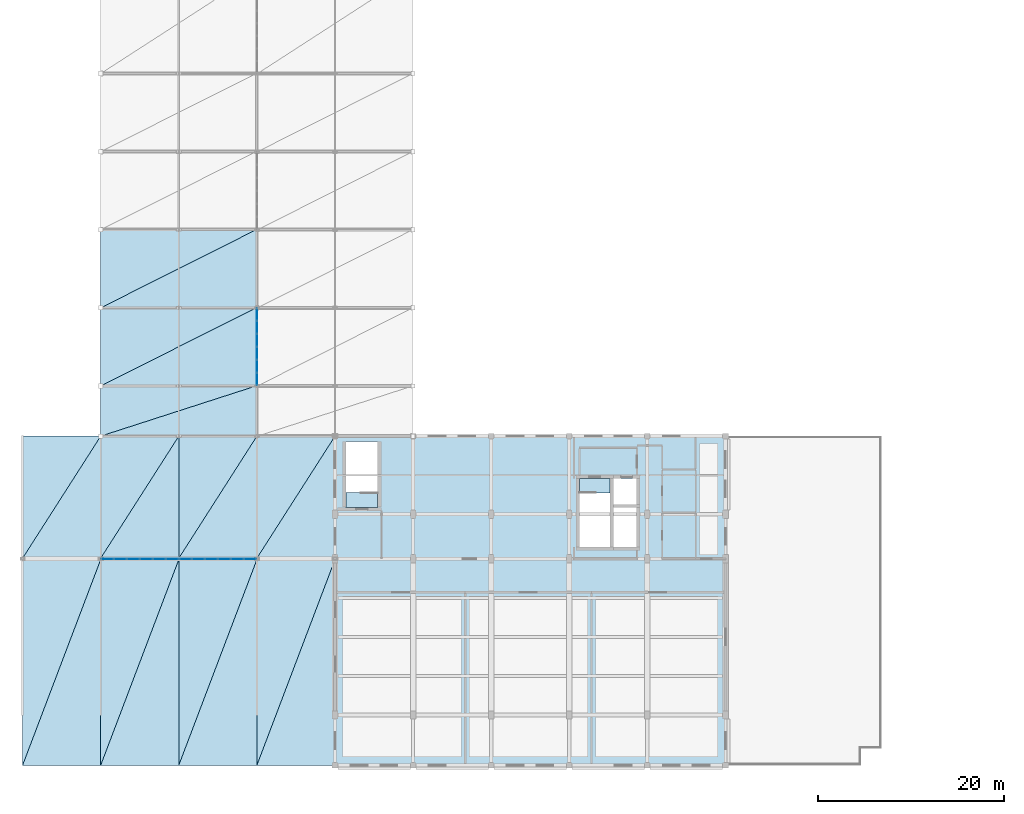
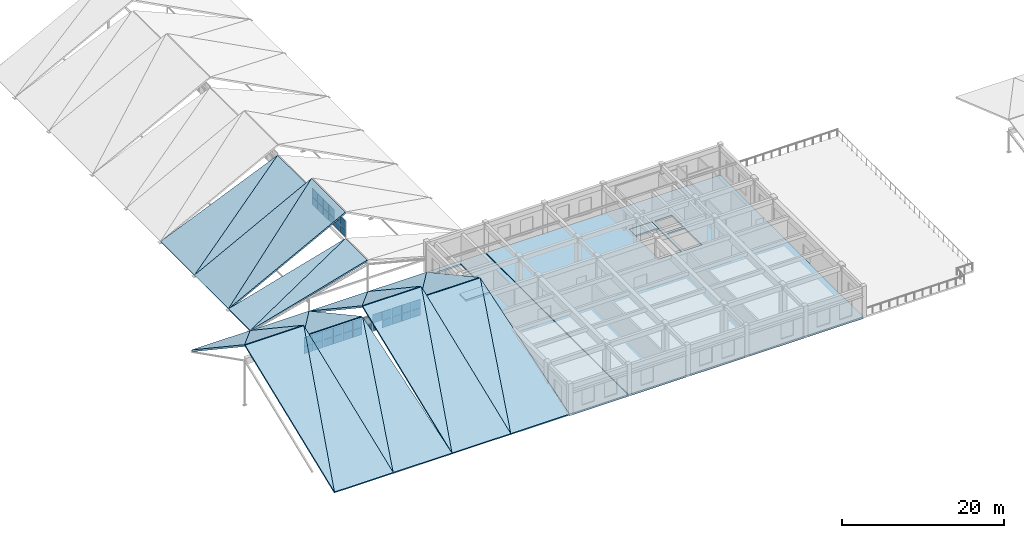
# One storey, part 54 of 76: 36 plates, 26 slabs, 3 elements without a shape of their own.
"""IFC4 building model written with IfcOpenShell, lengths in metres."""

from ifc_helpers import new_model, si_unit, direction, frame, origin, origin_2d, place, context, subcontext, project, spatial, polyline, rectangle, outline, extrude, material, layer, layer_set, type_object, element, aggregate, save


model = new_model("IFC4")

# Units and contexts
model_context = context("Model", 3, precision=1e-05, world=origin(), true_north=direction((0.0, 1.0)))
body_context = subcontext(model_context, "Body", "Model", "MODEL_VIEW")
ifc_project = project(units=[si_unit("LENGTHUNIT", "METRE"), si_unit("AREAUNIT", "SQUARE_METRE"), si_unit("VOLUMEUNIT", "CUBIC_METRE"), si_unit("PLANEANGLEUNIT", "RADIAN"), si_unit("MASSUNIT", "GRAM", prefix="KILO")], contexts=[model_context])

# Site, building, storey
site_placement = place(None, origin())
site = spatial("IfcSite", under=ifc_project, at=site_placement, CompositionType="ELEMENT")
building_placement = place(site_placement, origin())
building = spatial("IfcBuilding", under=site, at=building_placement, Name="Krzemoval Escarpment Law Courts", CompositionType="ELEMENT")
storey_placement = place(building_placement, frame((0.0, 0.0, 20.39990234375)))
storey = spatial("IfcBuildingStorey", under=building, at=storey_placement, Name="L04", CompositionType="ELEMENT", Elevation=20.39990234375)

# Curtain wall, plates
ifc_material_1 = material(Name="Aluminium 6063-T6", Category="aluminium")
ifc_layer_1 = layer(ifc_material_1, 0.199951171875)
ifc_layer_set_1 = layer_set([ifc_layer_1], Name="Aluminium 6063-T6")
curtain_wall_type = type_object("IfcCurtainWallType", Name="CW-CLER-2800", PredefinedType="USERDEFINED", material=ifc_layer_set_1)
curtain_wall_1_placement = place(storey_placement, origin())
curtain_wall_1 = element("IfcCurtainWall", 1, at=curtain_wall_1_placement, inside=storey, type_object=curtain_wall_type, Name="Clerestory Curtain Wall CW-CLER-V4-01", ObjectType="UNITISED_CURTAIN_WALL", PredefinedType="USERDEFINED")
ifc_material_2 = material(Name="Triple Glazing IGU", Category="glass")
ifc_layer_2 = layer(ifc_material_2, 0.0419921875)
ifc_layer_set_2 = layer_set([ifc_layer_2], Name="Triple Glazing IGU")
plate_type = type_object("IfcPlateType", Name="CWP-GLZ-42", PredefinedType="CURTAIN_PANEL", material=ifc_layer_set_2)
plate_1_placement = place(storey_placement, frame((25.199951171875, 41.516357421875, 4.864990234375), z_axis=(0.0, 0.0, 1.0), x_axis=(0.0, 1.0, 0.0)))
plate_1 = element("IfcPlate", 2, at=plate_1_placement, type_object=plate_type, Name="CW-CLER-V4-01 panel 1.1", PredefinedType="CURTAIN_PANEL", context=body_context, shape_type="SweptSolid", body=[
    extrude(rectangle(XDim=1.302490234375, YDim=0.0419921875, at=origin_2d()), origin(), (0.0, 0.0, 1.0), 1.1025390625),
])
plate_2_placement = place(storey_placement, frame((25.199951171875, 41.516357421875, 6.03271484375), z_axis=(0.0, 0.0, 1.0), x_axis=(0.0, 1.0, 0.0)))
plate_2 = element("IfcPlate", 3, at=plate_2_placement, type_object=plate_type, Name="CW-CLER-V4-01 panel 1.2", PredefinedType="CURTAIN_PANEL", context=body_context, shape_type="SweptSolid", body=[
    extrude(rectangle(XDim=1.302490234375, YDim=0.0419921875, at=origin_2d()), origin(), (0.0, 0.0, 1.0), 1.302490234375),
])
plate_3_placement = place(storey_placement, frame((25.199951171875, 42.89990234375, 4.864990234375), z_axis=(0.0, 0.0, 1.0), x_axis=(0.0, 1.0, 0.0)))
plate_3 = element("IfcPlate", 4, at=plate_3_placement, type_object=plate_type, Name="CW-CLER-V4-01 panel 2.1", PredefinedType="CURTAIN_PANEL", context=body_context, shape_type="SweptSolid", body=[
    extrude(rectangle(XDim=1.3349609375, YDim=0.0419921875, at=origin_2d()), origin(), (0.0, 0.0, 1.0), 1.1025390625),
])
plate_4_placement = place(storey_placement, frame((25.199951171875, 42.89990234375, 6.03271484375), z_axis=(0.0, 0.0, 1.0), x_axis=(0.0, 1.0, 0.0)))
plate_4 = element("IfcPlate", 5, at=plate_4_placement, type_object=plate_type, Name="CW-CLER-V4-01 panel 2.2", PredefinedType="CURTAIN_PANEL", context=body_context, shape_type="SweptSolid", body=[
    extrude(rectangle(XDim=1.3349609375, YDim=0.0419921875, at=origin_2d()), origin(), (0.0, 0.0, 1.0), 1.302490234375),
])
plate_5_placement = place(storey_placement, frame((25.199951171875, 44.300048828125, 4.864990234375), z_axis=(0.0, 0.0, 1.0), x_axis=(0.0, 1.0, 0.0)))
plate_5 = element("IfcPlate", 6, at=plate_5_placement, type_object=plate_type, Name="CW-CLER-V4-01 panel 3.1", PredefinedType="CURTAIN_PANEL", context=body_context, shape_type="SweptSolid", body=[
    extrude(rectangle(XDim=1.3349609375, YDim=0.0419921875, at=origin_2d()), origin(), (0.0, 0.0, 1.0), 1.1025390625),
])
plate_6_placement = place(storey_placement, frame((25.199951171875, 44.300048828125, 6.03271484375), z_axis=(0.0, 0.0, 1.0), x_axis=(0.0, 1.0, 0.0)))
plate_6 = element("IfcPlate", 7, at=plate_6_placement, type_object=plate_type, Name="CW-CLER-V4-01 panel 3.2", PredefinedType="CURTAIN_PANEL", context=body_context, shape_type="SweptSolid", body=[
    extrude(rectangle(XDim=1.3349609375, YDim=0.0419921875, at=origin_2d()), origin(), (0.0, 0.0, 1.0), 1.302490234375),
])
plate_7_placement = place(storey_placement, frame((25.199951171875, 45.699951171875, 4.864990234375), z_axis=(0.0, 0.0, 1.0), x_axis=(0.0, 1.0, 0.0)))
plate_7 = element("IfcPlate", 8, at=plate_7_placement, type_object=plate_type, Name="CW-CLER-V4-01 panel 4.1", PredefinedType="CURTAIN_PANEL", context=body_context, shape_type="SweptSolid", body=[
    extrude(rectangle(XDim=1.3349609375, YDim=0.0419921875, at=origin_2d()), origin(), (0.0, 0.0, 1.0), 1.1025390625),
])
plate_8_placement = place(storey_placement, frame((25.199951171875, 45.699951171875, 6.03271484375), z_axis=(0.0, 0.0, 1.0), x_axis=(0.0, 1.0, 0.0)))
plate_8 = element("IfcPlate", 9, at=plate_8_placement, type_object=plate_type, Name="CW-CLER-V4-01 panel 4.2", PredefinedType="CURTAIN_PANEL", context=body_context, shape_type="SweptSolid", body=[
    extrude(rectangle(XDim=1.3349609375, YDim=0.0419921875, at=origin_2d()), origin(), (0.0, 0.0, 1.0), 1.302490234375),
])
plate_9_placement = place(storey_placement, frame((25.199951171875, 47.10009765625, 4.864990234375), z_axis=(0.0, 0.0, 1.0), x_axis=(0.0, 1.0, 0.0)))
plate_9 = element("IfcPlate", 10, at=plate_9_placement, type_object=plate_type, Name="CW-CLER-V4-01 panel 5.1", PredefinedType="CURTAIN_PANEL", context=body_context, shape_type="SweptSolid", body=[
    extrude(rectangle(XDim=1.3349609375, YDim=0.0419921875, at=origin_2d()), origin(), (0.0, 0.0, 1.0), 1.1025390625),
])
plate_10_placement = place(storey_placement, frame((25.199951171875, 47.10009765625, 6.03271484375), z_axis=(0.0, 0.0, 1.0), x_axis=(0.0, 1.0, 0.0)))
plate_10 = element("IfcPlate", 11, at=plate_10_placement, type_object=plate_type, Name="CW-CLER-V4-01 panel 5.2", PredefinedType="CURTAIN_PANEL", context=body_context, shape_type="SweptSolid", body=[
    extrude(rectangle(XDim=1.3349609375, YDim=0.0419921875, at=origin_2d()), origin(), (0.0, 0.0, 1.0), 1.302490234375),
])
plate_11_placement = place(storey_placement, frame((25.199951171875, 48.483642578125, 4.864990234375), z_axis=(0.0, 0.0, 1.0), x_axis=(0.0, 1.0, 0.0)))
plate_11 = element("IfcPlate", 12, at=plate_11_placement, type_object=plate_type, Name="CW-CLER-V4-01 panel 6.1", PredefinedType="CURTAIN_PANEL", context=body_context, shape_type="SweptSolid", body=[
    extrude(rectangle(XDim=1.302490234375, YDim=0.0419921875, at=origin_2d()), origin(), (0.0, 0.0, 1.0), 1.1025390625),
])
plate_12_placement = place(storey_placement, frame((25.199951171875, 48.483642578125, 6.03271484375), z_axis=(0.0, 0.0, 1.0), x_axis=(0.0, 1.0, 0.0)))
plate_12 = element("IfcPlate", 13, at=plate_12_placement, type_object=plate_type, Name="CW-CLER-V4-01 panel 6.2", PredefinedType="CURTAIN_PANEL", context=body_context, shape_type="SweptSolid", body=[
    extrude(rectangle(XDim=1.302490234375, YDim=0.0419921875, at=origin_2d()), origin(), (0.0, 0.0, 1.0), 1.302490234375),
])
aggregate(curtain_wall_1, [plate_1, plate_2, plate_3, plate_4, plate_5, plate_6, plate_7, plate_8, plate_9, plate_10, plate_11, plate_12])

curtain_wall_2_placement = place(storey_placement, origin())
curtain_wall_2 = element("IfcCurtainWall", 14, at=curtain_wall_2_placement, inside=storey, type_object=curtain_wall_type, Name="Clerestory Curtain Wall CW-CLER-V1-01", ObjectType="UNITISED_CURTAIN_WALL", PredefinedType="USERDEFINED")
plate_13_placement = place(storey_placement, frame((9.1162109375, 22.199951171875, 4.465087890625), z_axis=(0.0, 0.0, 1.0), x_axis=(1.0, 0.0, 0.0)))
plate_13 = element("IfcPlate", 15, at=plate_13_placement, type_object=plate_type, Name="CW-CLER-V1-01 panel 1.1", PredefinedType="CURTAIN_PANEL", context=body_context, shape_type="SweptSolid", body=[
    extrude(rectangle(XDim=1.302490234375, YDim=0.0419921875, at=origin_2d()), origin(), (0.0, 0.0, 1.0), 1.1025390625),
])
plate_14_placement = place(storey_placement, frame((9.1162109375, 22.199951171875, 5.6328125), z_axis=(0.0, 0.0, 1.0), x_axis=(1.0, 0.0, 0.0)))
plate_14 = element("IfcPlate", 16, at=plate_14_placement, type_object=plate_type, Name="CW-CLER-V1-01 panel 1.2", PredefinedType="CURTAIN_PANEL", context=body_context, shape_type="SweptSolid", body=[
    extrude(rectangle(XDim=1.302490234375, YDim=0.0419921875, at=origin_2d()), origin(), (0.0, 0.0, 1.0), 1.302490234375),
])
plate_15_placement = place(storey_placement, frame((10.5, 22.199951171875, 4.465087890625), z_axis=(0.0, 0.0, 1.0), x_axis=(1.0, 0.0, 0.0)))
plate_15 = element("IfcPlate", 17, at=plate_15_placement, type_object=plate_type, Name="CW-CLER-V1-01 panel 2.1", PredefinedType="CURTAIN_PANEL", context=body_context, shape_type="SweptSolid", body=[
    extrude(rectangle(XDim=1.3349609375, YDim=0.0419921875, at=origin_2d()), origin(), (0.0, 0.0, 1.0), 1.1025390625),
])
plate_16_placement = place(storey_placement, frame((10.5, 22.199951171875, 5.6328125), z_axis=(0.0, 0.0, 1.0), x_axis=(1.0, 0.0, 0.0)))
plate_16 = element("IfcPlate", 18, at=plate_16_placement, type_object=plate_type, Name="CW-CLER-V1-01 panel 2.2", PredefinedType="CURTAIN_PANEL", context=body_context, shape_type="SweptSolid", body=[
    extrude(rectangle(XDim=1.3349609375, YDim=0.0419921875, at=origin_2d()), origin(), (0.0, 0.0, 1.0), 1.302490234375),
])
plate_17_placement = place(storey_placement, frame((11.89990234375, 22.199951171875, 4.465087890625), z_axis=(0.0, 0.0, 1.0), x_axis=(1.0, 0.0, 0.0)))
plate_17 = element("IfcPlate", 19, at=plate_17_placement, type_object=plate_type, Name="CW-CLER-V1-01 panel 3.1", PredefinedType="CURTAIN_PANEL", context=body_context, shape_type="SweptSolid", body=[
    extrude(rectangle(XDim=1.3349609375, YDim=0.0419921875, at=origin_2d()), origin(), (0.0, 0.0, 1.0), 1.1025390625),
])
plate_18_placement = place(storey_placement, frame((11.89990234375, 22.199951171875, 5.6328125), z_axis=(0.0, 0.0, 1.0), x_axis=(1.0, 0.0, 0.0)))
plate_18 = element("IfcPlate", 20, at=plate_18_placement, type_object=plate_type, Name="CW-CLER-V1-01 panel 3.2", PredefinedType="CURTAIN_PANEL", context=body_context, shape_type="SweptSolid", body=[
    extrude(rectangle(XDim=1.3349609375, YDim=0.0419921875, at=origin_2d()), origin(), (0.0, 0.0, 1.0), 1.302490234375),
])
plate_19_placement = place(storey_placement, frame((13.300048828125, 22.199951171875, 4.465087890625), z_axis=(0.0, 0.0, 1.0), x_axis=(1.0, 0.0, 0.0)))
plate_19 = element("IfcPlate", 21, at=plate_19_placement, type_object=plate_type, Name="CW-CLER-V1-01 panel 4.1", PredefinedType="CURTAIN_PANEL", context=body_context, shape_type="SweptSolid", body=[
    extrude(rectangle(XDim=1.3349609375, YDim=0.0419921875, at=origin_2d()), origin(), (0.0, 0.0, 1.0), 1.1025390625),
])
plate_20_placement = place(storey_placement, frame((13.300048828125, 22.199951171875, 5.6328125), z_axis=(0.0, 0.0, 1.0), x_axis=(1.0, 0.0, 0.0)))
plate_20 = element("IfcPlate", 22, at=plate_20_placement, type_object=plate_type, Name="CW-CLER-V1-01 panel 4.2", PredefinedType="CURTAIN_PANEL", context=body_context, shape_type="SweptSolid", body=[
    extrude(rectangle(XDim=1.3349609375, YDim=0.0419921875, at=origin_2d()), origin(), (0.0, 0.0, 1.0), 1.302490234375),
])
plate_21_placement = place(storey_placement, frame((14.699951171875, 22.199951171875, 4.465087890625), z_axis=(0.0, 0.0, 1.0), x_axis=(1.0, 0.0, 0.0)))
plate_21 = element("IfcPlate", 23, at=plate_21_placement, type_object=plate_type, Name="CW-CLER-V1-01 panel 5.1", PredefinedType="CURTAIN_PANEL", context=body_context, shape_type="SweptSolid", body=[
    extrude(rectangle(XDim=1.3349609375, YDim=0.0419921875, at=origin_2d()), origin(), (0.0, 0.0, 1.0), 1.1025390625),
])
plate_22_placement = place(storey_placement, frame((14.699951171875, 22.199951171875, 5.6328125), z_axis=(0.0, 0.0, 1.0), x_axis=(1.0, 0.0, 0.0)))
plate_22 = element("IfcPlate", 24, at=plate_22_placement, type_object=plate_type, Name="CW-CLER-V1-01 panel 5.2", PredefinedType="CURTAIN_PANEL", context=body_context, shape_type="SweptSolid", body=[
    extrude(rectangle(XDim=1.3349609375, YDim=0.0419921875, at=origin_2d()), origin(), (0.0, 0.0, 1.0), 1.302490234375),
])
plate_23_placement = place(storey_placement, frame((16.083740234375, 22.199951171875, 4.465087890625), z_axis=(0.0, 0.0, 1.0), x_axis=(1.0, 0.0, 0.0)))
plate_23 = element("IfcPlate", 25, at=plate_23_placement, type_object=plate_type, Name="CW-CLER-V1-01 panel 6.1", PredefinedType="CURTAIN_PANEL", context=body_context, shape_type="SweptSolid", body=[
    extrude(rectangle(XDim=1.302490234375, YDim=0.0419921875, at=origin_2d()), origin(), (0.0, 0.0, 1.0), 1.1025390625),
])
plate_24_placement = place(storey_placement, frame((16.083740234375, 22.199951171875, 5.6328125), z_axis=(0.0, 0.0, 1.0), x_axis=(1.0, 0.0, 0.0)))
plate_24 = element("IfcPlate", 26, at=plate_24_placement, type_object=plate_type, Name="CW-CLER-V1-01 panel 6.2", PredefinedType="CURTAIN_PANEL", context=body_context, shape_type="SweptSolid", body=[
    extrude(rectangle(XDim=1.302490234375, YDim=0.0419921875, at=origin_2d()), origin(), (0.0, 0.0, 1.0), 1.302490234375),
])
aggregate(curtain_wall_2, [plate_13, plate_14, plate_15, plate_16, plate_17, plate_18, plate_19, plate_20, plate_21, plate_22, plate_23, plate_24])

curtain_wall_3_placement = place(storey_placement, origin())
curtain_wall_3 = element("IfcCurtainWall", 27, at=curtain_wall_3_placement, inside=storey, type_object=curtain_wall_type, Name="Clerestory Curtain Wall CW-CLER-V1-02", ObjectType="UNITISED_CURTAIN_WALL", PredefinedType="USERDEFINED")
plate_25_placement = place(storey_placement, frame((17.516357421875, 22.199951171875, 4.465087890625), z_axis=(0.0, 0.0, 1.0), x_axis=(1.0, 0.0, 0.0)))
plate_25 = element("IfcPlate", 28, at=plate_25_placement, type_object=plate_type, Name="CW-CLER-V1-02 panel 1.1", PredefinedType="CURTAIN_PANEL", context=body_context, shape_type="SweptSolid", body=[
    extrude(rectangle(XDim=1.302490234375, YDim=0.0419921875, at=origin_2d()), origin(), (0.0, 0.0, 1.0), 1.1025390625),
])
plate_26_placement = place(storey_placement, frame((17.516357421875, 22.199951171875, 5.6328125), z_axis=(0.0, 0.0, 1.0), x_axis=(1.0, 0.0, 0.0)))
plate_26 = element("IfcPlate", 29, at=plate_26_placement, type_object=plate_type, Name="CW-CLER-V1-02 panel 1.2", PredefinedType="CURTAIN_PANEL", context=body_context, shape_type="SweptSolid", body=[
    extrude(rectangle(XDim=1.302490234375, YDim=0.0419921875, at=origin_2d()), origin(), (0.0, 0.0, 1.0), 1.302490234375),
])
plate_27_placement = place(storey_placement, frame((18.89990234375, 22.199951171875, 4.465087890625), z_axis=(0.0, 0.0, 1.0), x_axis=(1.0, 0.0, 0.0)))
plate_27 = element("IfcPlate", 30, at=plate_27_placement, type_object=plate_type, Name="CW-CLER-V1-02 panel 2.1", PredefinedType="CURTAIN_PANEL", context=body_context, shape_type="SweptSolid", body=[
    extrude(rectangle(XDim=1.3349609375, YDim=0.0419921875, at=origin_2d()), origin(), (0.0, 0.0, 1.0), 1.1025390625),
])
plate_28_placement = place(storey_placement, frame((18.89990234375, 22.199951171875, 5.6328125), z_axis=(0.0, 0.0, 1.0), x_axis=(1.0, 0.0, 0.0)))
plate_28 = element("IfcPlate", 31, at=plate_28_placement, type_object=plate_type, Name="CW-CLER-V1-02 panel 2.2", PredefinedType="CURTAIN_PANEL", context=body_context, shape_type="SweptSolid", body=[
    extrude(rectangle(XDim=1.3349609375, YDim=0.0419921875, at=origin_2d()), origin(), (0.0, 0.0, 1.0), 1.302490234375),
])
plate_29_placement = place(storey_placement, frame((20.300048828125, 22.199951171875, 4.465087890625), z_axis=(0.0, 0.0, 1.0), x_axis=(1.0, 0.0, 0.0)))
plate_29 = element("IfcPlate", 32, at=plate_29_placement, type_object=plate_type, Name="CW-CLER-V1-02 panel 3.1", PredefinedType="CURTAIN_PANEL", context=body_context, shape_type="SweptSolid", body=[
    extrude(rectangle(XDim=1.3349609375, YDim=0.0419921875, at=origin_2d()), origin(), (0.0, 0.0, 1.0), 1.1025390625),
])
plate_30_placement = place(storey_placement, frame((20.300048828125, 22.199951171875, 5.6328125), z_axis=(0.0, 0.0, 1.0), x_axis=(1.0, 0.0, 0.0)))
plate_30 = element("IfcPlate", 33, at=plate_30_placement, type_object=plate_type, Name="CW-CLER-V1-02 panel 3.2", PredefinedType="CURTAIN_PANEL", context=body_context, shape_type="SweptSolid", body=[
    extrude(rectangle(XDim=1.3349609375, YDim=0.0419921875, at=origin_2d()), origin(), (0.0, 0.0, 1.0), 1.302490234375),
])
plate_31_placement = place(storey_placement, frame((21.699951171875, 22.199951171875, 4.465087890625), z_axis=(0.0, 0.0, 1.0), x_axis=(1.0, 0.0, 0.0)))
plate_31 = element("IfcPlate", 34, at=plate_31_placement, type_object=plate_type, Name="CW-CLER-V1-02 panel 4.1", PredefinedType="CURTAIN_PANEL", context=body_context, shape_type="SweptSolid", body=[
    extrude(rectangle(XDim=1.3349609375, YDim=0.0419921875, at=origin_2d()), origin(), (0.0, 0.0, 1.0), 1.1025390625),
])
plate_32_placement = place(storey_placement, frame((21.699951171875, 22.199951171875, 5.6328125), z_axis=(0.0, 0.0, 1.0), x_axis=(1.0, 0.0, 0.0)))
plate_32 = element("IfcPlate", 35, at=plate_32_placement, type_object=plate_type, Name="CW-CLER-V1-02 panel 4.2", PredefinedType="CURTAIN_PANEL", context=body_context, shape_type="SweptSolid", body=[
    extrude(rectangle(XDim=1.3349609375, YDim=0.0419921875, at=origin_2d()), origin(), (0.0, 0.0, 1.0), 1.302490234375),
])
plate_33_placement = place(storey_placement, frame((23.10009765625, 22.199951171875, 4.465087890625), z_axis=(0.0, 0.0, 1.0), x_axis=(1.0, 0.0, 0.0)))
plate_33 = element("IfcPlate", 36, at=plate_33_placement, type_object=plate_type, Name="CW-CLER-V1-02 panel 5.1", PredefinedType="CURTAIN_PANEL", context=body_context, shape_type="SweptSolid", body=[
    extrude(rectangle(XDim=1.3349609375, YDim=0.0419921875, at=origin_2d()), origin(), (0.0, 0.0, 1.0), 1.1025390625),
])
plate_34_placement = place(storey_placement, frame((23.10009765625, 22.199951171875, 5.6328125), z_axis=(0.0, 0.0, 1.0), x_axis=(1.0, 0.0, 0.0)))
plate_34 = element("IfcPlate", 37, at=plate_34_placement, type_object=plate_type, Name="CW-CLER-V1-02 panel 5.2", PredefinedType="CURTAIN_PANEL", context=body_context, shape_type="SweptSolid", body=[
    extrude(rectangle(XDim=1.3349609375, YDim=0.0419921875, at=origin_2d()), origin(), (0.0, 0.0, 1.0), 1.302490234375),
])
plate_35_placement = place(storey_placement, frame((24.483642578125, 22.199951171875, 4.465087890625), z_axis=(0.0, 0.0, 1.0), x_axis=(1.0, 0.0, 0.0)))
plate_35 = element("IfcPlate", 38, at=plate_35_placement, type_object=plate_type, Name="CW-CLER-V1-02 panel 6.1", PredefinedType="CURTAIN_PANEL", context=body_context, shape_type="SweptSolid", body=[
    extrude(rectangle(XDim=1.302490234375, YDim=0.0419921875, at=origin_2d()), origin(), (0.0, 0.0, 1.0), 1.1025390625),
])
plate_36_placement = place(storey_placement, frame((24.483642578125, 22.199951171875, 5.6328125), z_axis=(0.0, 0.0, 1.0), x_axis=(1.0, 0.0, 0.0)))
plate_36 = element("IfcPlate", 39, at=plate_36_placement, type_object=plate_type, Name="CW-CLER-V1-02 panel 6.2", PredefinedType="CURTAIN_PANEL", context=body_context, shape_type="SweptSolid", body=[
    extrude(rectangle(XDim=1.302490234375, YDim=0.0419921875, at=origin_2d()), origin(), (0.0, 0.0, 1.0), 1.302490234375),
])
aggregate(curtain_wall_3, [plate_25, plate_26, plate_27, plate_28, plate_29, plate_30, plate_31, plate_32, plate_33, plate_34, plate_35, plate_36])

# Slabs
ifc_material_3 = material(Name="Concrete C40/50", Category="concrete")
ifc_layer_3 = layer(ifc_material_3, 0.260009765625)
ifc_layer_set_3 = layer_set([ifc_layer_3], Name="Concrete C40/50")
slab_type_1 = type_object("IfcSlabType", Name="SL-FLR-260", PredefinedType="FLOOR", material=ifc_layer_set_3)
slab_1_placement = place(storey_placement, frame((0.0, 0.0, -0.260009765625)))
element("IfcSlab", 40, at=slab_1_placement, inside=storey, type_object=slab_type_1, Name="Floor Slab SL-L04-V2-042", PredefinedType="FLOOR", context=body_context, shape_type="SweptSolid", body=[
    extrude(outline(polyline([(33.60009765625, 0.0), (33.60009765625, 35.39990234375), (41.9599609375, 35.39990234375), (41.9599609375, 0.0), (33.60009765625, 0.0)]), holes=[polyline([(38.199951171875, 34.800048828125), (34.800048828125, 34.800048828125), (34.800048828125, 27.75), (38.199951171875, 27.75), (38.199951171875, 34.800048828125)])]), origin(), (0.0, 0.0, 1.0), 0.260009765625),
])
slab_2_placement = place(storey_placement, frame((0.0, 0.0, -0.260009765625)))
element("IfcSlab", 41, at=slab_2_placement, inside=storey, type_object=slab_type_1, Name="Floor Slab SL-L04-V2-043", PredefinedType="FLOOR", context=body_context, shape_type="SweptSolid", body=[
    extrude(outline(polyline([(75.60009765625, 35.39990234375), (75.60009765625, 0.0), (42.0400390625, 0.0), (42.0400390625, 35.39990234375), (75.60009765625, 35.39990234375)]), holes=[polyline([(66.050048828125, 28.050048828125), (66.050048828125, 30.85009765625), (63.550048828125, 30.85009765625), (63.550048828125, 28.050048828125), (66.050048828125, 28.050048828125)]), polyline([(63.550048828125, 23.449951171875), (66.050048828125, 23.449951171875), (66.050048828125, 27.75), (63.550048828125, 27.75), (63.550048828125, 23.449951171875)]), polyline([(59.89990234375, 30.85009765625), (59.89990234375, 23.449951171875), (63.199951171875, 23.449951171875), (63.199951171875, 30.85009765625), (59.89990234375, 30.85009765625)])]), origin(), (0.0, 0.0, 1.0), 0.260009765625),
])
slab_3_placement = place(storey_placement, frame((0.0, 0.0, -0.260009765625)))
element("IfcSlab", 42, at=slab_3_placement, inside=storey, type_object=slab_type_1, Name="Core Floor Landing Slab SL-ST4-L04-FL", PredefinedType="FLOOR", context=body_context, shape_type="SweptSolid", body=[
    extrude(outline(polyline([(59.89990234375, 30.85009765625), (59.89990234375, 29.300048828125), (63.199951171875, 29.300048828125), (63.199951171875, 30.85009765625), (59.89990234375, 30.85009765625)])), origin(), (0.0, 0.0, 1.0), 0.260009765625),
])
slab_4_placement = place(storey_placement, frame((0.0, 0.0, -0.260009765625)))
element("IfcSlab", 43, at=slab_4_placement, inside=storey, type_object=slab_type_1, Name="Core Floor Landing Slab SL-ST9-L04-FL", PredefinedType="FLOOR", context=body_context, shape_type="SweptSolid", body=[
    extrude(outline(polyline([(38.199951171875, 27.75), (38.199951171875, 29.35009765625), (34.800048828125, 29.35009765625), (34.800048828125, 27.75), (38.199951171875, 27.75)])), origin(), (0.0, 0.0, 1.0), 0.260009765625),
])
ifc_material_4 = material(Name="Concrete C50/60", Category="concrete")
ifc_layer_4 = layer(ifc_material_4, 0.239990234375)
ifc_layer_set_4 = layer_set([ifc_layer_4], Name="Concrete C50/60")
slab_type_2 = type_object("IfcSlabType", Name="SL-ROOF-FP240", PredefinedType="ROOF", material=ifc_layer_set_4)
slab_5_placement = place(storey_placement, frame((0.0, 0.0, 0.0), z_axis=(0.0, -0.36851324009, 0.929622499662), x_axis=(1.0, 0.0, 0.0)))
element("IfcSlab", 44, at=slab_5_placement, inside=storey, type_object=slab_type_2, Name="Folded-Plate Roof Facet FPR-V1-01SA", PredefinedType="ROOF", context=body_context, shape_type="SweptSolid", body=[
    extrude(outline(polyline([(0.0, 0.0), (8.39990234375, 0.0), (8.39990234375, 23.80103382882511), (0.0, 0.0)])), origin(), (0.0, 0.0, -1.0), 0.239990234375),
])
slab_6_placement = place(storey_placement, frame((0.0, 0.0, 0.0), z_axis=(0.0, -0.36851324009, 0.929622499662), x_axis=(0.33280382191, 0.876630377609, 0.347506542636)))
element("IfcSlab", 45, at=slab_6_placement, inside=storey, type_object=slab_type_2, Name="Folded-Plate Roof Facet FPR-V1-01SB", PredefinedType="ROOF", context=body_context, shape_type="SweptSolid", body=[
    extrude(outline(polyline([(0.0, 0.0), (25.239801320640655, 4.440892098500626e-16), (22.444281716972643, 7.921075023634394), (0.0, 0.0)])), origin(), (0.0, 0.0, -1.0), 0.239990234375),
])
slab_7_placement = place(storey_placement, frame((0.0, 22.26708984375, 8.756103515625), z_axis=(0.0, 0.55473945909, 0.832024117757), x_axis=(1.0, 0.0, 0.0)))
element("IfcSlab", 46, at=slab_7_placement, inside=storey, type_object=slab_type_2, Name="Folded-Plate Roof Facet FPR-V1-01NA", PredefinedType="ROOF", context=body_context, shape_type="SweptSolid", body=[
    extrude(outline(polyline([(0.0, 0.0), (8.39990234375, 0.0), (8.39990234375, 15.784172861968306), (0.0, 0.0)])), origin(), (0.0, 0.0, -1.0), 0.239990234375),
])
slab_8_placement = place(storey_placement, frame((0.0, 22.26708984375, 8.756103515625), z_axis=(0.0, 0.55473945909, 0.832024117757), x_axis=(0.469790203835, 0.73449266537, -0.489711842718)))
element("IfcSlab", 47, at=slab_8_placement, inside=storey, type_object=slab_type_2, Name="Folded-Plate Roof Facet FPR-V1-01NB", PredefinedType="ROOF", context=body_context, shape_type="SweptSolid", body=[
    extrude(outline(polyline([(0.0, 0.0), (17.880113878860882, 8.881784197001252e-16), (13.933922044593217, 7.415249786197088), (0.0, 0.0)])), origin(), (0.0, 0.0, -1.0), 0.239990234375),
])
slab_9_placement = place(storey_placement, frame((8.39990234375, 0.0, 0.0), z_axis=(0.0, -0.308492633198, 0.951226731785), x_axis=(1.0, 0.0, 0.0)))
element("IfcSlab", 48, at=slab_9_placement, inside=storey, type_object=slab_type_2, Name="Folded-Plate Roof Facet FPR-V1-02SA", PredefinedType="ROOF", context=body_context, shape_type="SweptSolid", body=[
    extrude(outline(polyline([(0.0, 0.0), (8.400146484375, 0.0), (8.400146484375, 23.258412214702602), (0.0, 0.0)])), origin(), (0.0, 0.0, -1.0), 0.239990234375),
])
slab_10_placement = place(storey_placement, frame((8.39990234375, 0.0, 0.0), z_axis=(0.0, -0.308492633198, 0.951226731785), x_axis=(0.339690089351, 0.894664338564, 0.290148866101)))
element("IfcSlab", 49, at=slab_10_placement, inside=storey, type_object=slab_type_2, Name="Folded-Plate Roof Facet FPR-V1-02SB", PredefinedType="ROOF", context=body_context, shape_type="SweptSolid", body=[
    extrude(outline(polyline([(0.0, 0.0), (24.72885358660981, -2.220446049250313e-16), (21.87540707677379, 7.900652123366926), (0.0, 0.0)])), origin(), (0.0, 0.0, -1.0), 0.239990234375),
])
slab_11_placement = place(storey_placement, frame((8.39990234375, 22.27001953125, 7.162109375), z_axis=(0.0, 0.478870429694, 0.877885591387), x_axis=(1.0, 0.0, 0.0)))
element("IfcSlab", 50, at=slab_11_placement, inside=storey, type_object=slab_type_2, Name="Folded-Plate Roof Facet FPR-V1-02NA", PredefinedType="ROOF", context=body_context, shape_type="SweptSolid", body=[
    extrude(outline(polyline([(0.0, 0.0), (8.400146484375, 0.0), (8.400146484375, 14.956257331613608), (0.0, 0.0)])), origin(), (0.0, 0.0, -1.0), 0.239990234375),
])
slab_12_placement = place(storey_placement, frame((8.39990234375, 22.27001953125, 7.162109375), z_axis=(0.0, 0.478870429694, 0.877885591387), x_axis=(0.489696588161, 0.765422225457, -0.417523733841)))
element("IfcSlab", 51, at=slab_12_placement, inside=storey, type_object=slab_type_2, Name="Folded-Plate Roof Facet FPR-V1-02NB", PredefinedType="ROOF", context=body_context, shape_type="SweptSolid", body=[
    extrude(outline(polyline([(0.0, 0.0), (17.1537778442069, 2.220446049250313e-16), (13.04025477075823, 7.3240281869448784), (0.0, 0.0)])), origin(), (0.0, 0.0, -1.0), 0.239990234375),
])
slab_13_placement = place(storey_placement, frame((16.800048828125, 0.0, 0.0), z_axis=(0.0, -0.36851324009, 0.929622499662), x_axis=(1.0, 0.0, 0.0)))
element("IfcSlab", 52, at=slab_13_placement, inside=storey, type_object=slab_type_2, Name="Folded-Plate Roof Facet FPR-V1-03SA", PredefinedType="ROOF", context=body_context, shape_type="SweptSolid", body=[
    extrude(outline(polyline([(0.0, 0.0), (8.39990234375, 0.0), (8.39990234375, 23.80103382882511), (0.0, 0.0)])), origin(), (0.0, 0.0, -1.0), 0.239990234375),
])
slab_14_placement = place(storey_placement, frame((16.800048828125, 0.0, 0.0), z_axis=(0.0, -0.36851324009, 0.929622499662), x_axis=(0.33280382191, 0.876630377609, 0.347506542636)))
element("IfcSlab", 53, at=slab_14_placement, inside=storey, type_object=slab_type_2, Name="Folded-Plate Roof Facet FPR-V1-03SB", PredefinedType="ROOF", context=body_context, shape_type="SweptSolid", body=[
    extrude(outline(polyline([(0.0, 0.0), (25.239801320640655, 4.440892098500626e-16), (22.444281716972643, 7.921075023634394), (0.0, 0.0)])), origin(), (0.0, 0.0, -1.0), 0.239990234375),
])
slab_15_placement = place(storey_placement, frame((16.800048828125, 22.26708984375, 8.756103515625), z_axis=(0.0, 0.55473945909, 0.832024117757), x_axis=(1.0, 0.0, 0.0)))
element("IfcSlab", 54, at=slab_15_placement, inside=storey, type_object=slab_type_2, Name="Folded-Plate Roof Facet FPR-V1-03NA", PredefinedType="ROOF", context=body_context, shape_type="SweptSolid", body=[
    extrude(outline(polyline([(0.0, 0.0), (8.39990234375, 0.0), (8.39990234375, 15.784172861968306), (0.0, 0.0)])), origin(), (0.0, 0.0, -1.0), 0.239990234375),
])
slab_16_placement = place(storey_placement, frame((16.800048828125, 22.26708984375, 8.756103515625), z_axis=(0.0, 0.55473945909, 0.832024117757), x_axis=(0.469790203835, 0.73449266537, -0.489711842718)))
element("IfcSlab", 55, at=slab_16_placement, inside=storey, type_object=slab_type_2, Name="Folded-Plate Roof Facet FPR-V1-03NB", PredefinedType="ROOF", context=body_context, shape_type="SweptSolid", body=[
    extrude(outline(polyline([(0.0, 0.0), (17.880113878860882, 8.881784197001252e-16), (13.933922044593217, 7.415249786197088), (0.0, 0.0)])), origin(), (0.0, 0.0, -1.0), 0.239990234375),
])
slab_17_placement = place(storey_placement, frame((25.199951171875, 0.0, 0.0), z_axis=(0.0, -0.308492633198, 0.951226731785), x_axis=(1.0, 0.0, 0.0)))
element("IfcSlab", 56, at=slab_17_placement, inside=storey, type_object=slab_type_2, Name="Folded-Plate Roof Facet FPR-V1-04SA", PredefinedType="ROOF", context=body_context, shape_type="SweptSolid", body=[
    extrude(outline(polyline([(0.0, 0.0), (8.400146484375, 0.0), (8.400146484375, 23.258412214702602), (0.0, 0.0)])), origin(), (0.0, 0.0, -1.0), 0.239990234375),
])
slab_18_placement = place(storey_placement, frame((25.199951171875, 0.0, 0.0), z_axis=(0.0, -0.308492633198, 0.951226731785), x_axis=(0.339690089351, 0.894664338564, 0.290148866101)))
element("IfcSlab", 57, at=slab_18_placement, inside=storey, type_object=slab_type_2, Name="Folded-Plate Roof Facet FPR-V1-04SB", PredefinedType="ROOF", context=body_context, shape_type="SweptSolid", body=[
    extrude(outline(polyline([(0.0, 0.0), (24.72885358660981, -2.220446049250313e-16), (21.87540707677379, 7.900652123366926), (0.0, 0.0)])), origin(), (0.0, 0.0, -1.0), 0.239990234375),
])
slab_19_placement = place(storey_placement, frame((25.199951171875, 22.27001953125, 7.162109375), z_axis=(0.0, 0.478870429694, 0.877885591387), x_axis=(1.0, 0.0, 0.0)))
element("IfcSlab", 58, at=slab_19_placement, inside=storey, type_object=slab_type_2, Name="Folded-Plate Roof Facet FPR-V1-04NA", PredefinedType="ROOF", context=body_context, shape_type="SweptSolid", body=[
    extrude(outline(polyline([(0.0, 0.0), (8.400146484375, 0.0), (8.400146484375, 14.956257331613608), (0.0, 0.0)])), origin(), (0.0, 0.0, -1.0), 0.239990234375),
])
slab_20_placement = place(storey_placement, frame((25.199951171875, 22.27001953125, 7.162109375), z_axis=(0.0, 0.478870429694, 0.877885591387), x_axis=(0.489696588161, 0.765422225457, -0.417523733841)))
element("IfcSlab", 59, at=slab_20_placement, inside=storey, type_object=slab_type_2, Name="Folded-Plate Roof Facet FPR-V1-04NB", PredefinedType="ROOF", context=body_context, shape_type="SweptSolid", body=[
    extrude(outline(polyline([(0.0, 0.0), (17.1537778442069, 2.220446049250313e-16), (13.04025477075823, 7.3240281869448784), (0.0, 0.0)])), origin(), (0.0, 0.0, -1.0), 0.239990234375),
])
slab_21_placement = place(storey_placement, frame((8.39990234375, 35.39990234375, 0.0), z_axis=(-0.274722981873, 0.0, 0.961523417932), x_axis=(0.961523417932, 0.0, 0.274722981873)))
element("IfcSlab", 60, at=slab_21_placement, inside=storey, type_object=slab_type_2, Name="Folded-Plate Roof Facet FPR-V4-01WA", PredefinedType="ROOF", context=body_context, shape_type="SweptSolid", body=[
    extrude(outline(polyline([(0.0, 0.0), (17.392342421804962, 0.0), (17.392342421804962, 5.400146484375), (0.0, 0.0)])), origin(), (0.0, 0.0, -1.0), 0.239990234375),
])
slab_22_placement = place(storey_placement, frame((8.39990234375, 35.39990234375, 0.0), z_axis=(-0.274722981873, 0.0, 0.961523417932), x_axis=(0.918278816665, 0.296525579518, 0.262367291322)))
element("IfcSlab", 61, at=slab_22_placement, inside=storey, type_object=slab_type_2, Name="Folded-Plate Roof Facet FPR-V4-01WB", PredefinedType="ROOF", context=body_context, shape_type="SweptSolid", body=[
    extrude(outline(polyline([(0.0, 0.0), (18.211401839782244, -8.881784197001252e-16), (1.6012815657609125, 5.157274415799682), (0.0, 0.0)])), origin(), (0.0, 0.0, -1.0), 0.239990234375),
])
slab_23_placement = place(storey_placement, frame((8.39990234375, 40.800048828125, 0.0), z_axis=(-0.464022452486, 0.0, 0.885823438157), x_axis=(0.885823438157, 0.0, 0.464022452486)))
element("IfcSlab", 62, at=slab_23_placement, inside=storey, type_object=slab_type_2, Name="Folded-Plate Roof Facet FPR-V4-02WA", PredefinedType="ROOF", context=body_context, shape_type="SweptSolid", body=[
    extrude(outline(polyline([(0.0, 0.0), (18.88525769993878, 0.0), (18.88525769993878, 8.39990234375), (0.0, 0.0)])), origin(), (0.0, 0.0, -1.0), 0.239990234375),
])
slab_24_placement = place(storey_placement, frame((8.39990234375, 40.800048828125, 0.0), z_axis=(-0.464022452486, 0.0, 0.885823438157), x_axis=(0.809372991, 0.406399216724, 0.423975280041)))
element("IfcSlab", 63, at=slab_24_placement, inside=storey, type_object=slab_type_2, Name="Folded-Plate Roof Facet FPR-V4-02WB", PredefinedType="ROOF", context=body_context, shape_type="SweptSolid", body=[
    extrude(outline(polyline([(0.0, 0.0), (20.669090879321075, -6.661338147750939e-16), (3.4137137330567677, 7.674953936883032), (0.0, 0.0)])), origin(), (0.0, 0.0, -1.0), 0.239990234375),
])
slab_25_placement = place(storey_placement, frame((8.39990234375, 49.199951171875, 0.0), z_axis=(-0.393914440967, 0.0, 0.919147111837), x_axis=(0.919147111837, 0.0, 0.393914440967)))
element("IfcSlab", 64, at=slab_25_placement, inside=storey, type_object=slab_type_2, Name="Folded-Plate Roof Facet FPR-V4-03WA", PredefinedType="ROOF", context=body_context, shape_type="SweptSolid", body=[
    extrude(outline(polyline([(0.0, 0.0), (18.19738538407251, 0.0), (18.19738538407251, 8.400146484375), (0.0, 0.0)])), origin(), (0.0, 0.0, -1.0), 0.239990234375),
])
slab_26_placement = place(storey_placement, frame((8.39990234375, 49.199951171875, 0.0), z_axis=(-0.393914440967, 0.0, 0.919147111837), x_axis=(0.834524631827, 0.419113837502, 0.357648193185)))
element("IfcSlab", 65, at=slab_26_placement, inside=storey, type_object=slab_type_2, Name="Folded-Plate Roof Facet FPR-V4-03WB", PredefinedType="ROOF", context=body_context, shape_type="SweptSolid", body=[
    extrude(outline(polyline([(0.0, 0.0), (20.042636946654834, 8.881784197001252e-16), (3.520617628646649, 7.626776020824272), (0.0, 0.0)])), origin(), (0.0, 0.0, -1.0), 0.239990234375),
])

save(model, "model.ifc")
